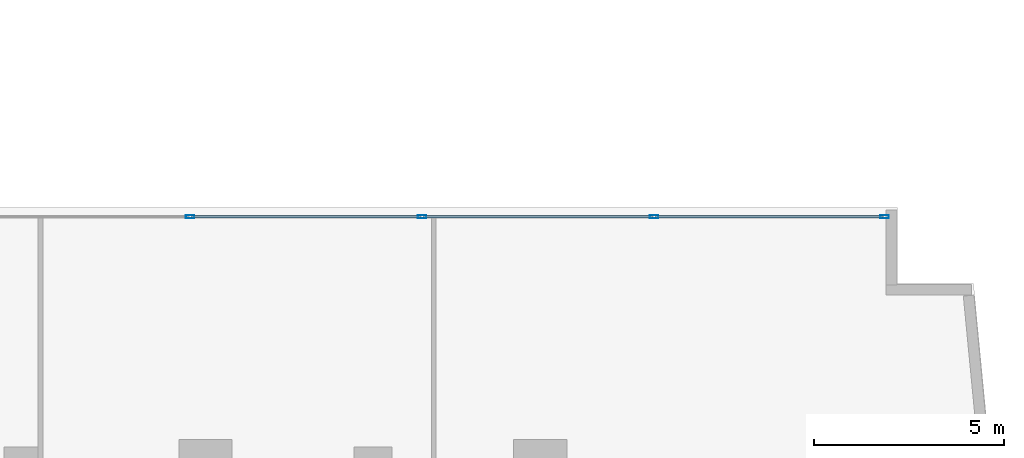
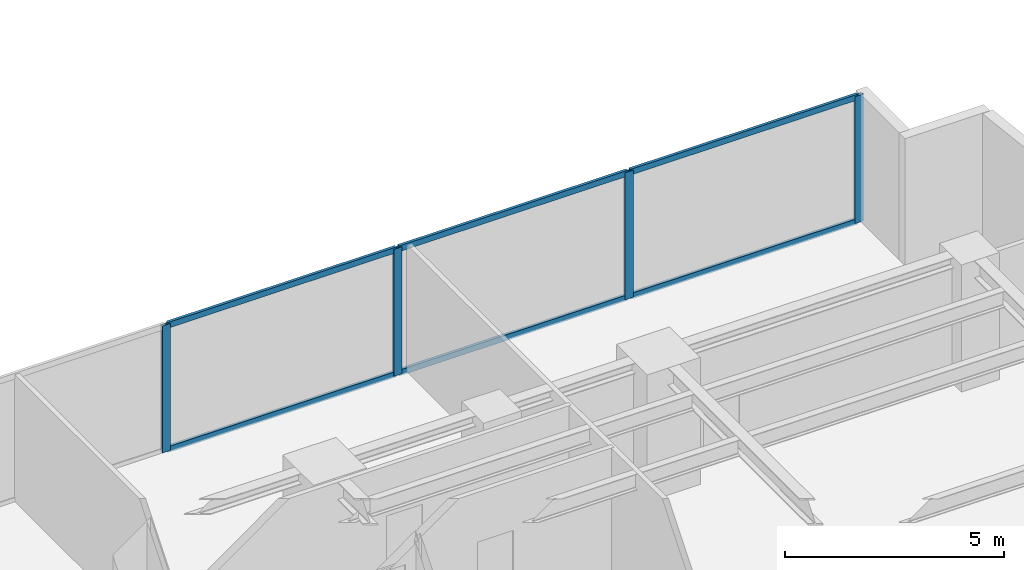
# One storey, part 15 of 26: 10 members, 1 element without a shape of its own.
"""IFC4 building model written with IfcOpenShell, lengths in metres."""

import ifcopenshell
import ifcopenshell.guid

model = None  # the IFC model being written
_history = None  # IfcOwnerHistory: only IFC2X3 demands one
_inside = {}  # id of a spatial element -> (the spatial element, [elements in it])
_under = {}  # id of a project, library or spatial element -> (it, [spatial elements below it])
_declared = {}  # id of a project -> (the project, [libraries it declares])
_typed = {}  # id of a type object -> (the type object, [elements of that type])
_made_of = {}  # id of a material, layer set ... -> (it, [elements and type objects made of it])


def new_model(schema):
    """Start an empty IFC model of exactly this schema.

    Asked for "IFC4X3", IfcOpenShell would pick the latest addendum, in which some entities
    have other attributes; the version numbers below select the first issue.
    IFC2X3 requires an IfcOwnerHistory on every rooted entity: one is made here for all.
    """
    global model, _history
    if schema == "IFC4X3":
        model = ifcopenshell.file(schema_version=(4, 3, 0, 0))
    else:
        model = ifcopenshell.file(schema=schema)
    _inside.clear()
    _under.clear()
    _declared.clear()
    _typed.clear()
    _made_of.clear()
    _history = None
    if model.schema == "IFC2X3":
        org = make("IfcOrganization", Name="unknown")
        user = make(
            "IfcPersonAndOrganization",
            ThePerson=make("IfcPerson", FamilyName="unknown"),
            TheOrganization=org,
        )
        app = make(
            "IfcApplication",
            ApplicationDeveloper=org,
            Version="unknown",
            ApplicationFullName="unknown",
            ApplicationIdentifier="unknown",
        )
        _history = make(
            "IfcOwnerHistory",
            OwningUser=user,
            OwningApplication=app,
            ChangeAction="ADDED",
            CreationDate=0,
        )
    return model


def make(cls, **values):
    """One entity of the class cls with the attributes given. An attribute that is None is left unset."""
    return model.create_entity(
        cls, **{name: value for name, value in values.items() if value is not None}
    )


def rooted(cls, **values):
    """An entity with a GlobalId (a new one), such as an element, a storey or a relation."""
    return make(cls, GlobalId=ifcopenshell.guid.new(), OwnerHistory=_history, **values)


def si_unit(unit_type, name, prefix=None):
    """IfcSIUnit, for example si_unit("LENGTHUNIT", "METRE", prefix="MILLI")."""
    return make("IfcSIUnit", UnitType=unit_type, Prefix=prefix, Name=name)


def assignment(units):
    """IfcUnitAssignment: the units of a project."""
    return None if units is None else make("IfcUnitAssignment", Units=units)


def point(xyz):
    """IfcCartesianPoint."""
    return None if xyz is None else make("IfcCartesianPoint", Coordinates=xyz)


def direction(xyz):
    """IfcDirection."""
    return None if xyz is None else make("IfcDirection", DirectionRatios=xyz)


def frame(location, z_axis=None, x_axis=None):
    """IfcAxis2Placement3D, a coordinate frame: its origin and axes. An axis left out is left unset."""
    return make(
        "IfcAxis2Placement3D",
        Location=point(location),
        Axis=direction(z_axis),
        RefDirection=direction(x_axis),
    )


def frame_2d(location, x_axis=None):
    """IfcAxis2Placement2D, a coordinate frame in the plane: its origin and x axis."""
    return make(
        "IfcAxis2Placement2D", Location=point(location), RefDirection=direction(x_axis)
    )


def origin():
    """The frame at (0, 0, 0) with its axes left unset."""
    return frame((0.0, 0.0, 0.0))


def origin_with_axes():
    """The frame at (0, 0, 0) with the z axis (0, 0, 1) and the x axis (1, 0, 0) written out."""
    return frame((0.0, 0.0, 0.0), z_axis=(0.0, 0.0, 1.0), x_axis=(1.0, 0.0, 0.0))


def origin_2d():
    """The frame at (0, 0) in the plane with its x axis left unset."""
    return frame_2d((0.0, 0.0))


def place(relative_to, where):
    """IfcLocalPlacement: puts the frame where relative to a parent placement (None: the world)."""
    return make(
        "IfcLocalPlacement", PlacementRelTo=relative_to, RelativePlacement=where
    )


def context(
    kind, dimensions, precision=None, world=None, true_north=None, identifier=None
):
    """IfcGeometricRepresentationContext, for example the 3D "Model" context."""
    return make(
        "IfcGeometricRepresentationContext",
        ContextIdentifier=identifier,
        ContextType=kind,
        CoordinateSpaceDimension=dimensions,
        Precision=precision,
        WorldCoordinateSystem=world,
        TrueNorth=true_north,
    )


def subcontext(parent, identifier, kind, view, scale=None):
    """IfcGeometricRepresentationSubContext, for example "Body" below "Model"."""
    return make(
        "IfcGeometricRepresentationSubContext",
        ContextIdentifier=identifier,
        ContextType=kind,
        ParentContext=parent,
        TargetScale=scale,
        TargetView=view,
    )


def project(units=None, contexts=None):
    """IfcProject with its units and contexts."""
    return rooted(
        "IfcProject",
        Name="project",
        RepresentationContexts=contexts,
        UnitsInContext=assignment(units),
    )


def spatial(cls, under=None, at=None, **own):
    """A site, building, storey or space (cls), placed at a placement, below another one or the project."""
    s = rooted(cls, ObjectPlacement=at, **own)
    if under is not None:
        _under.setdefault(under.id(), (under, []))[1].append(s)
    return s


def profile(cls, at=None, kind="AREA", **sizes):
    """A parametric profile (cls). Its sizes go by their IFC names, for example OverallWidth=200.0."""
    return make(cls, ProfileType=kind, Position=at, **sizes)


def hollow_rectangle(**sizes):
    """IfcRectangleHollowProfileDef."""
    return profile("IfcRectangleHollowProfileDef", **sizes)


def extrude(swept, where, along, depth):
    """IfcExtrudedAreaSolid: the profile swept, set in the frame where, extruded along a direction by depth."""
    return make(
        "IfcExtrudedAreaSolid",
        SweptArea=swept,
        Position=where,
        ExtrudedDirection=direction(along),
        Depth=depth,
    )


def shape(context_of_items, identifier, shape_type, items):
    """IfcShapeRepresentation: the items that make up one representation, for example the "Body"."""
    return make(
        "IfcShapeRepresentation",
        ContextOfItems=context_of_items,
        RepresentationIdentifier=identifier,
        RepresentationType=shape_type,
        Items=items,
    )


def source(mapping_origin, context_of_items, identifier, shape_type, items):
    """IfcRepresentationMap: a shape defined once, which mapped items show again and again."""
    return make(
        "IfcRepresentationMap",
        MappingOrigin=mapping_origin,
        MappedRepresentation=shape(context_of_items, identifier, shape_type, items),
    )


def transform(
    local_origin,
    x_axis=None,
    y_axis=None,
    z_axis=None,
    scale=None,
    scale2=None,
    scale3=None,
    uniform=True,
):
    """IfcCartesianTransformationOperator3D, or its non-uniform kind. x_axis, y_axis, z_axis: its Axis1, 2, 3."""
    if uniform:
        return make(
            "IfcCartesianTransformationOperator3D",
            Axis1=direction(x_axis),
            Axis2=direction(y_axis),
            LocalOrigin=point(local_origin),
            Scale=scale,
            Axis3=direction(z_axis),
        )
    return make(
        "IfcCartesianTransformationOperator3DnonUniform",
        Axis1=direction(x_axis),
        Axis2=direction(y_axis),
        LocalOrigin=point(local_origin),
        Scale=scale,
        Axis3=direction(z_axis),
        Scale2=scale2,
        Scale3=scale3,
    )


def mapped(mapping_source, mapping_target):
    """IfcMappedItem: shows the shape of a source again, moved by a transform."""
    return make(
        "IfcMappedItem", MappingSource=mapping_source, MappingTarget=mapping_target
    )


def material(Name=None, Category=None):
    """IfcMaterial."""
    return make("IfcMaterial", Name=Name, Category=Category)


def layer(
    of_material, thickness, ventilated=None, Name=None, Category=None, Priority=None
):
    """IfcMaterialLayer: one layer of a wall or slab, of a material (None: an air gap)."""
    return make(
        "IfcMaterialLayer",
        Material=of_material,
        LayerThickness=thickness,
        IsVentilated=ventilated,
        Name=Name,
        Category=Category,
        Priority=Priority,
    )


def layer_set(layers, Name=None):
    """IfcMaterialLayerSet."""
    return make("IfcMaterialLayerSet", MaterialLayers=layers, LayerSetName=Name)


def material_profile(
    of_material, cross_section, Name=None, Category=None, Priority=None
):
    """IfcMaterialProfile: a cross section and its material."""
    return make(
        "IfcMaterialProfile",
        Name=Name,
        Material=of_material,
        Profile=cross_section,
        Priority=Priority,
        Category=Category,
    )


def profile_set(profiles, Name=None, composite=None):
    """IfcMaterialProfileSet."""
    return make(
        "IfcMaterialProfileSet",
        Name=Name,
        MaterialProfiles=profiles,
        CompositeProfile=composite,
    )


def made_of(thing, what):
    """Note that an element or type object is made of a material, layer set ...; save() writes the relation."""
    if what is not None:
        _made_of.setdefault(what.id(), (what, []))[1].append(thing)
    return thing


def type_object(cls, material=None, **own):
    """A type object (cls), such as IfcWallType, which elements share."""
    return made_of(rooted(cls, **own), material)


def element(
    cls,
    number,
    at=None,
    inside=None,
    cuts=None,
    type_object=None,
    material=None,
    context=None,
    identifier="Body",
    shape_type=None,
    held_by="IfcProductDefinitionShape",
    body=None,
    shapes=None,
    **own,
):
    """One element of the class cls, such as IfcWall. Its Tag is "e" and its number.

    at: its placement. inside: the storey or other place that contains it. cuts: it is an
    opening in that element (IfcRelVoidsElement). A single representation is given by context,
    identifier, shape_type and body (its items); several are given by shapes. held_by: the class
    of the entity that holds the representations. save() writes the other relations.
    """
    e = rooted(cls, Tag="e%d" % number, ObjectPlacement=at, **own)
    if body is not None:
        shapes = [shape(context, identifier, shape_type, body)]
    if shapes is not None:
        e.Representation = make(held_by, Representations=shapes)
    if inside is not None:
        _inside.setdefault(inside.id(), (inside, []))[1].append(e)
    if cuts is not None:
        rooted(
            "IfcRelVoidsElement", RelatingBuildingElement=cuts, RelatedOpeningElement=e
        )
    if type_object is not None:
        _typed.setdefault(type_object.id(), (type_object, []))[1].append(e)
    return made_of(e, material)


def aggregate(whole, parts):
    """IfcRelAggregates: a whole, such as a stair, and the parts it consists of."""
    return rooted("IfcRelAggregates", RelatingObject=whole, RelatedObjects=parts)


def save(model, path):
    """Write the relations noted so far, then the file.

    IfcRelAggregates (storeys below a building ...), IfcRelContainedInSpatialStructure (elements
    in a storey), IfcRelDefinesByType, IfcRelAssociatesMaterial and IfcRelDeclares: one each for
    every whole, place, type object, material and project.
    """
    for whole, parts in _under.values():
        aggregate(whole, parts)
    for where, things in _inside.values():
        rooted(
            "IfcRelContainedInSpatialStructure",
            RelatedElements=things,
            RelatingStructure=where,
        )
    for kind, things in _typed.values():
        rooted("IfcRelDefinesByType", RelatedObjects=things, RelatingType=kind)
    for what, things in _made_of.values():
        rooted("IfcRelAssociatesMaterial", RelatedObjects=things, RelatingMaterial=what)
    for by, libraries in _declared.values():
        rooted("IfcRelDeclares", RelatingContext=by, RelatedDefinitions=libraries)
    model.write(path)


model = new_model("IFC4")

# Units and contexts
model_context = context("Model", 3, precision=1e-05, world=origin(), true_north=direction((0.0, 1.0)))
body_context = subcontext(model_context, "Body", "Model", "MODEL_VIEW")
ifc_project = project(units=[si_unit("LENGTHUNIT", "METRE"), si_unit("AREAUNIT", "SQUARE_METRE"), si_unit("VOLUMEUNIT", "CUBIC_METRE"), si_unit("PLANEANGLEUNIT", "RADIAN"), si_unit("MASSUNIT", "GRAM", prefix="KILO")], contexts=[model_context])

# Site, building, storey
site_placement = place(None, origin())
site = spatial("IfcSite", under=ifc_project, at=site_placement, CompositionType="ELEMENT")
building_placement = place(site_placement, origin())
building = spatial("IfcBuilding", under=site, at=building_placement, Name="Kolvaren Waterfront Exchange", CompositionType="ELEMENT")
storey_placement = place(building_placement, frame((0.0, 0.0, 99.300048828125)))
storey = spatial("IfcBuildingStorey", under=building, at=storey_placement, Name="L25", CompositionType="ELEMENT", Elevation=99.300048828125)

# Curtain wall, members
ifc_material_1 = material(Name="Anodised bronze aluminium 6063-T6", Category="aluminium")
ifc_layer = layer(ifc_material_1, 0.219970703125, Name="Anodised bronze aluminium 6063-T6")
ifc_layer_set = layer_set([ifc_layer], Name="Anodised bronze aluminium 6063-T6")
curtain_wall_type = type_object("IfcCurtainWallType", Name="ARC-CW-SYS1", PredefinedType="USERDEFINED", material=ifc_layer_set)
curtain_wall_placement = place(storey_placement, origin())
curtain_wall = element("IfcCurtainWall", 1, at=curtain_wall_placement, inside=storey, type_object=curtain_wall_type, Name="L25 stick curtain wall CW1 (CW-L25-EN)", ObjectType="STICK CURTAIN WALL", PredefinedType="USERDEFINED")
ifc_material_2 = material(Name="Anodised aluminium 6063-T6", Category="aluminium")
ifc_material_profile_1 = material_profile(ifc_material_2, hollow_rectangle(XDim=0.080078125, YDim=0.219970703125, WallThickness=0.0048828125, at=origin_2d()), Name="ALU-MUL-220x80x5")
ifc_profile_set_1 = profile_set([ifc_material_profile_1], Name="Anodised aluminium 6063-T6")
member_type_1 = type_object("IfcMemberType", Name="ARC-CWM-220", PredefinedType="MULLION", material=ifc_profile_set_1)
shared_shape_1 = source(origin_with_axes(), body_context, "Body", "SweptSolid", [
    extrude(hollow_rectangle(XDim=0.080078125, YDim=0.219970703125, WallThickness=0.0048828125, at=origin_2d()), origin(), (0.0, 0.0, 1.0), 3.5400390625),
])
member_1_placement = place(storey_placement, frame((36.392578125, 23.9599609375, 0.0), z_axis=(0.0, 0.0, 1.0), x_axis=(0.0, 1.0, 0.0)))
member_1 = element("IfcMember", 2, at=member_1_placement, type_object=member_type_1, Name="CW1 mullion 2", PredefinedType="MULLION", context=body_context, shape_type="MappedRepresentation", body=[
    mapped(shared_shape_1, transform((0.0, 0.0, 0.0), x_axis=(1.0, 0.0, 0.0), y_axis=(0.0, 1.0, 0.0), z_axis=(0.0, 0.0, 1.0), scale=1.0)),
])
member_2_placement = place(storey_placement, frame((42.4951171875, 23.9599609375, 0.0), z_axis=(0.0, 0.0, 1.0), x_axis=(0.0, 1.0, 0.0)))
member_2 = element("IfcMember", 3, at=member_2_placement, type_object=member_type_1, Name="CW1 mullion 3", PredefinedType="MULLION", context=body_context, shape_type="MappedRepresentation", body=[
    mapped(shared_shape_1, transform((0.0, 0.0, 0.0), x_axis=(1.0, 0.0, 0.0), y_axis=(0.0, 1.0, 0.0), z_axis=(0.0, 0.0, 1.0), scale=1.0)),
])
member_3_placement = place(storey_placement, frame((48.597412109375, 23.9599609375, 0.0), z_axis=(0.0, 0.0, 1.0), x_axis=(0.0, 1.0, 0.0)))
member_3 = element("IfcMember", 4, at=member_3_placement, type_object=member_type_1, Name="CW1 mullion 4", PredefinedType="MULLION", context=body_context, shape_type="MappedRepresentation", body=[
    mapped(shared_shape_1, transform((0.0, 0.0, 0.0), x_axis=(1.0, 0.0, 0.0), y_axis=(0.0, 1.0, 0.0), z_axis=(0.0, 0.0, 1.0), scale=1.0)),
])
member_4_placement = place(storey_placement, frame((54.659912109375, 23.9599609375, 0.0), z_axis=(0.0, 0.0, 1.0), x_axis=(0.0, 1.0, 0.0)))
member_4 = element("IfcMember", 5, at=member_4_placement, type_object=member_type_1, Name="CW1 mullion 5", PredefinedType="MULLION", context=body_context, shape_type="MappedRepresentation", body=[
    mapped(shared_shape_1, transform((0.0, 0.0, 0.0), x_axis=(1.0, 0.0, 0.0), y_axis=(0.0, 1.0, 0.0), z_axis=(0.0, 0.0, 1.0), scale=1.0)),
])
ifc_material_profile_2 = material_profile(ifc_material_2, hollow_rectangle(XDim=0.074951171875, YDim=0.159912109375, WallThickness=0.00439453125, at=origin_2d()), Name="ALU-TRN-160x75x4.5")
ifc_profile_set_2 = profile_set([ifc_material_profile_2], Name="Anodised aluminium 6063-T6")
member_type_2 = type_object("IfcMemberType", Name="ARC-CWT-160", PredefinedType="USERDEFINED", material=ifc_profile_set_2)
shared_shape_2 = source(origin_with_axes(), body_context, "Body", "SweptSolid", [
    extrude(hollow_rectangle(XDim=0.074951171875, YDim=0.159912109375, WallThickness=0.00439453125, at=origin_2d()), origin(), (0.0, 0.0, 1.0), 6.0224609375),
])
member_5_placement = place(storey_placement, frame((36.4326171875, 23.9599609375, 0.037353515625), z_axis=(1.0, 0.0, 0.0), x_axis=(0.0, 1.0, 0.0)))
member_5 = element("IfcMember", 6, at=member_5_placement, type_object=member_type_2, Name="CW1 transom 2.1", ObjectType="TRANSOM", PredefinedType="USERDEFINED", context=body_context, shape_type="MappedRepresentation", body=[
    mapped(shared_shape_2, transform((0.0, 0.0, 0.0), x_axis=(1.0, 0.0, 0.0), y_axis=(0.0, 1.0, 0.0), z_axis=(0.0, 0.0, 1.0), scale=1.0)),
])
member_6_placement = place(storey_placement, frame((36.4326171875, 23.9599609375, 3.50244140625), z_axis=(1.0, 0.0, 0.0), x_axis=(0.0, 1.0, 0.0)))
member_6 = element("IfcMember", 7, at=member_6_placement, type_object=member_type_2, Name="CW1 transom 2.2", ObjectType="TRANSOM", PredefinedType="USERDEFINED", context=body_context, shape_type="MappedRepresentation", body=[
    mapped(shared_shape_2, transform((0.0, 0.0, 0.0), x_axis=(1.0, 0.0, 0.0), y_axis=(0.0, 1.0, 0.0), z_axis=(0.0, 0.0, 1.0), scale=1.0)),
])
shared_shape_3 = source(origin_with_axes(), body_context, "Body", "SweptSolid", [
    extrude(hollow_rectangle(XDim=0.074951171875, YDim=0.159912109375, WallThickness=0.00439453125, at=origin_2d()), origin(), (0.0, 0.0, 1.0), 6.022705078125),
])
member_7_placement = place(storey_placement, frame((42.534912109375, 23.9599609375, 0.037353515625), z_axis=(1.0, 0.0, 0.0), x_axis=(0.0, 1.0, 0.0)))
member_7 = element("IfcMember", 8, at=member_7_placement, type_object=member_type_2, Name="CW1 transom 3.1", ObjectType="TRANSOM", PredefinedType="USERDEFINED", context=body_context, shape_type="MappedRepresentation", body=[
    mapped(shared_shape_3, transform((0.0, 0.0, 0.0), x_axis=(1.0, 0.0, 0.0), y_axis=(0.0, 1.0, 0.0), z_axis=(0.0, 0.0, 1.0), scale=1.0)),
])
member_8_placement = place(storey_placement, frame((42.534912109375, 23.9599609375, 3.50244140625), z_axis=(1.0, 0.0, 0.0), x_axis=(0.0, 1.0, 0.0)))
member_8 = element("IfcMember", 9, at=member_8_placement, type_object=member_type_2, Name="CW1 transom 3.2", ObjectType="TRANSOM", PredefinedType="USERDEFINED", context=body_context, shape_type="MappedRepresentation", body=[
    mapped(shared_shape_3, transform((0.0, 0.0, 0.0), x_axis=(1.0, 0.0, 0.0), y_axis=(0.0, 1.0, 0.0), z_axis=(0.0, 0.0, 1.0), scale=1.0)),
])
shared_shape_4 = source(origin_with_axes(), body_context, "Body", "SweptSolid", [
    extrude(hollow_rectangle(XDim=0.074951171875, YDim=0.159912109375, WallThickness=0.00439453125, at=origin_2d()), origin(), (0.0, 0.0, 1.0), 5.982666015625),
])
member_9_placement = place(storey_placement, frame((48.637451171875, 23.9599609375, 0.037353515625), z_axis=(1.0, 0.0, 0.0), x_axis=(0.0, 1.0, 0.0)))
member_9 = element("IfcMember", 10, at=member_9_placement, type_object=member_type_2, Name="CW1 transom 4.1", ObjectType="TRANSOM", PredefinedType="USERDEFINED", context=body_context, shape_type="MappedRepresentation", body=[
    mapped(shared_shape_4, transform((0.0, 0.0, 0.0), x_axis=(1.0, 0.0, 0.0), y_axis=(0.0, 1.0, 0.0), z_axis=(0.0, 0.0, 1.0), scale=1.0)),
])
member_10_placement = place(storey_placement, frame((48.637451171875, 23.9599609375, 3.50244140625), z_axis=(1.0, 0.0, 0.0), x_axis=(0.0, 1.0, 0.0)))
member_10 = element("IfcMember", 11, at=member_10_placement, type_object=member_type_2, Name="CW1 transom 4.2", ObjectType="TRANSOM", PredefinedType="USERDEFINED", context=body_context, shape_type="MappedRepresentation", body=[
    mapped(shared_shape_4, transform((0.0, 0.0, 0.0), x_axis=(1.0, 0.0, 0.0), y_axis=(0.0, 1.0, 0.0), z_axis=(0.0, 0.0, 1.0), scale=1.0)),
])
aggregate(curtain_wall, [member_1, member_2, member_3, member_4, member_5, member_6, member_7, member_8, member_9, member_10])

save(model, "model.ifc")
